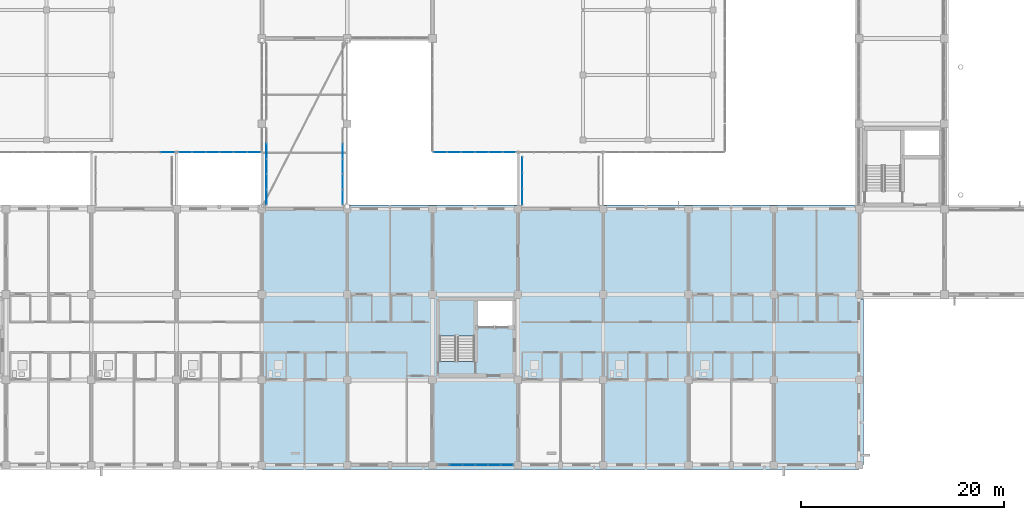
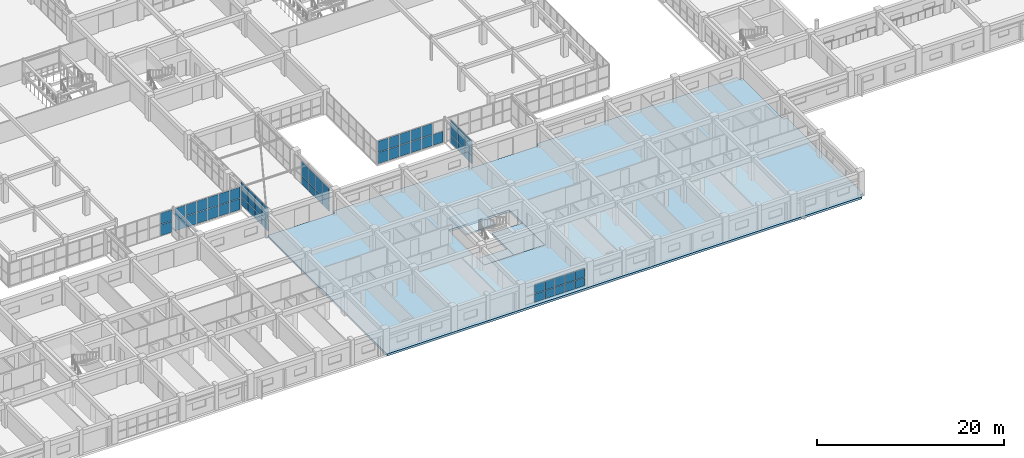
# One storey, part 148 of 200: 57 plates, 4 slabs, 8 elements without a shape of their own.
"""IFC4 building model written with IfcOpenShell, lengths in metres."""

from ifc_helpers import new_model, si_unit, direction, frame, origin, origin_2d, place, context, subcontext, project, spatial, polyline, rectangle, outline, extrude, material, layer, layer_set, type_object, element, aggregate, save


model = new_model("IFC4")

# Units and contexts
model_context = context("Model", 3, precision=1e-05, world=origin(), true_north=direction((0.0, 1.0)))
body_context = subcontext(model_context, "Body", "Model", "MODEL_VIEW")
ifc_project = project(units=[si_unit("LENGTHUNIT", "METRE"), si_unit("AREAUNIT", "SQUARE_METRE"), si_unit("VOLUMEUNIT", "CUBIC_METRE"), si_unit("PLANEANGLEUNIT", "RADIAN"), si_unit("MASSUNIT", "GRAM", prefix="KILO")], contexts=[model_context])

# Site, building, storey
site_placement = place(None, origin())
site = spatial("IfcSite", under=ifc_project, at=site_placement, CompositionType="ELEMENT")
building_placement = place(site_placement, origin())
building = spatial("IfcBuilding", under=site, at=building_placement, Name="Trelvath General Hospital", CompositionType="ELEMENT")
storey_placement = place(building_placement, frame((0.0, 0.0, 4.800048828125)))
storey = spatial("IfcBuildingStorey", under=building, at=storey_placement, Name="L01", CompositionType="ELEMENT", Elevation=4.800048828125)

# Curtain wall, plates
ifc_material_1 = material(Name="Anodised aluminium and low-E glass", Category="aluminium")
ifc_layer_1 = layer(ifc_material_1, 0.14990234375)
ifc_layer_set_1 = layer_set([ifc_layer_1], Name="Anodised aluminium and low-E glass")
curtain_wall_type_1 = type_object("IfcCurtainWallType", Name="CW CrystalCube 583 306 15", PredefinedType="USERDEFINED", material=ifc_layer_set_1)
curtain_wall_1_placement = place(storey_placement, origin())
curtain_wall_1 = element("IfcCurtainWall", 1, at=curtain_wall_1_placement, inside=storey, type_object=curtain_wall_type_1, Name="Crystal Cube Curtain Wall CUBE-W-T0 S4 L01", ObjectType="Unitised Glazed Curtain Wall", PredefinedType="USERDEFINED")
ifc_material_2 = material(Name="Low-E laminated glass", Category="glass")
ifc_layer_2 = layer(ifc_material_2, 0.028076171875)
ifc_layer_set_2 = layer_set([ifc_layer_2], Name="Low-E laminated glass")
plate_type_1 = type_object("IfcPlateType", Name="CurtainPanel Glass28", PredefinedType="CURTAIN_PANEL", material=ifc_layer_set_2)
plate_1_placement = place(storey_placement, frame((66.30615234375, 30.800048828125, 0.06005859375), z_axis=(0.0, 0.0, 1.0), x_axis=(-1.0, 0.0, 0.0)))
plate_1 = element("IfcPlate", 2, at=plate_1_placement, type_object=plate_type_1, Name="CW-131 panel 1.1", PredefinedType="CURTAIN_PANEL", context=body_context, shape_type="SweptSolid", body=[
    extrude(rectangle(XDim=1.367431640625, YDim=0.028076171875, at=origin_2d()), origin(), (0.0, 0.0, 1.0), 1.43994140625),
])
plate_2_placement = place(storey_placement, frame((66.30615234375, 30.800048828125, 1.56005859375), z_axis=(0.0, 0.0, 1.0), x_axis=(-1.0, 0.0, 0.0)))
plate_2 = element("IfcPlate", 3, at=plate_2_placement, type_object=plate_type_1, Name="CW-131 panel 1.2", PredefinedType="CURTAIN_PANEL", context=body_context, shape_type="SweptSolid", body=[
    extrude(rectangle(XDim=1.367431640625, YDim=0.028076171875, at=origin_2d()), origin(), (0.0, 0.0, 1.0), 1.43994140625),
])
aggregate(curtain_wall_1, [plate_1, plate_2])

ifc_material_3 = material(Name="Anodised aluminium and low-E glass", Category="aluminium")
ifc_layer_3 = layer(ifc_material_3, 0.14990234375)
ifc_layer_set_3 = layer_set([ifc_layer_3], Name="Anodised aluminium and low-E glass")
curtain_wall_type_2 = type_object("IfcCurtainWallType", Name="CW CrystalCube 817 306 15", PredefinedType="USERDEFINED", material=ifc_layer_set_3)
curtain_wall_2_placement = place(storey_placement, origin())
curtain_wall_2 = element("IfcCurtainWall", 4, at=curtain_wall_2_placement, inside=storey, type_object=curtain_wall_type_2, Name="Crystal Cube Curtain Wall CUBE-W-T0 S5 L01", ObjectType="Unitised Glazed Curtain Wall", PredefinedType="USERDEFINED")
plate_3_placement = place(storey_placement, frame((74.82421875, 30.800048828125, 0.06005859375), z_axis=(0.0, 0.0, 1.0), x_axis=(-1.0, 0.0, 0.0)))
plate_3 = element("IfcPlate", 5, at=plate_3_placement, type_object=plate_type_1, Name="CW-132 panel 1.1", PredefinedType="CURTAIN_PANEL", context=body_context, shape_type="SweptSolid", body=[
    extrude(rectangle(XDim=1.271728515625, YDim=0.028076171875, at=origin_2d()), origin(), (0.0, 0.0, 1.0), 1.43994140625),
])
plate_4_placement = place(storey_placement, frame((74.82421875, 30.800048828125, 1.56005859375), z_axis=(0.0, 0.0, 1.0), x_axis=(-1.0, 0.0, 0.0)))
plate_4 = element("IfcPlate", 6, at=plate_4_placement, type_object=plate_type_1, Name="CW-132 panel 1.2", PredefinedType="CURTAIN_PANEL", context=body_context, shape_type="SweptSolid", body=[
    extrude(rectangle(XDim=1.271728515625, YDim=0.028076171875, at=origin_2d()), origin(), (0.0, 0.0, 1.0), 1.43994140625),
])
plate_5_placement = place(storey_placement, frame((73.4775390625, 30.800048828125, 0.06005859375), z_axis=(0.0, 0.0, 1.0), x_axis=(-1.0, 0.0, 0.0)))
plate_5 = element("IfcPlate", 7, at=plate_5_placement, type_object=plate_type_1, Name="CW-132 panel 2.1", PredefinedType="CURTAIN_PANEL", context=body_context, shape_type="SweptSolid", body=[
    extrude(rectangle(XDim=1.3017578125, YDim=0.028076171875, at=origin_2d()), origin(), (0.0, 0.0, 1.0), 1.43994140625),
])
plate_6_placement = place(storey_placement, frame((73.4775390625, 30.800048828125, 1.56005859375), z_axis=(0.0, 0.0, 1.0), x_axis=(-1.0, 0.0, 0.0)))
plate_6 = element("IfcPlate", 8, at=plate_6_placement, type_object=plate_type_1, Name="CW-132 panel 2.2", PredefinedType="CURTAIN_PANEL", context=body_context, shape_type="SweptSolid", body=[
    extrude(rectangle(XDim=1.3017578125, YDim=0.028076171875, at=origin_2d()), origin(), (0.0, 0.0, 1.0), 1.43994140625),
])
plate_7_placement = place(storey_placement, frame((72.11572265625, 30.800048828125, 0.06005859375), z_axis=(0.0, 0.0, 1.0), x_axis=(-1.0, 0.0, 0.0)))
plate_7 = element("IfcPlate", 9, at=plate_7_placement, type_object=plate_type_1, Name="CW-132 panel 3.1", PredefinedType="CURTAIN_PANEL", context=body_context, shape_type="SweptSolid", body=[
    extrude(rectangle(XDim=1.3017578125, YDim=0.028076171875, at=origin_2d()), origin(), (0.0, 0.0, 1.0), 1.43994140625),
])
plate_8_placement = place(storey_placement, frame((72.11572265625, 30.800048828125, 1.56005859375), z_axis=(0.0, 0.0, 1.0), x_axis=(-1.0, 0.0, 0.0)))
plate_8 = element("IfcPlate", 10, at=plate_8_placement, type_object=plate_type_1, Name="CW-132 panel 3.2", PredefinedType="CURTAIN_PANEL", context=body_context, shape_type="SweptSolid", body=[
    extrude(rectangle(XDim=1.3017578125, YDim=0.028076171875, at=origin_2d()), origin(), (0.0, 0.0, 1.0), 1.43994140625),
])
plate_9_placement = place(storey_placement, frame((70.754150390625, 30.800048828125, 0.06005859375), z_axis=(0.0, 0.0, 1.0), x_axis=(-1.0, 0.0, 0.0)))
plate_9 = element("IfcPlate", 11, at=plate_9_placement, type_object=plate_type_1, Name="CW-132 panel 4.1", PredefinedType="CURTAIN_PANEL", context=body_context, shape_type="SweptSolid", body=[
    extrude(rectangle(XDim=1.3017578125, YDim=0.028076171875, at=origin_2d()), origin(), (0.0, 0.0, 1.0), 1.43994140625),
])
plate_10_placement = place(storey_placement, frame((70.754150390625, 30.800048828125, 1.56005859375), z_axis=(0.0, 0.0, 1.0), x_axis=(-1.0, 0.0, 0.0)))
plate_10 = element("IfcPlate", 12, at=plate_10_placement, type_object=plate_type_1, Name="CW-132 panel 4.2", PredefinedType="CURTAIN_PANEL", context=body_context, shape_type="SweptSolid", body=[
    extrude(rectangle(XDim=1.3017578125, YDim=0.028076171875, at=origin_2d()), origin(), (0.0, 0.0, 1.0), 1.43994140625),
])
plate_11_placement = place(storey_placement, frame((69.392578125, 30.800048828125, 0.06005859375), z_axis=(0.0, 0.0, 1.0), x_axis=(-1.0, 0.0, 0.0)))
plate_11 = element("IfcPlate", 13, at=plate_11_placement, type_object=plate_type_1, Name="CW-132 panel 5.1", PredefinedType="CURTAIN_PANEL", context=body_context, shape_type="SweptSolid", body=[
    extrude(rectangle(XDim=1.3017578125, YDim=0.028076171875, at=origin_2d()), origin(), (0.0, 0.0, 1.0), 1.43994140625),
])
plate_12_placement = place(storey_placement, frame((69.392578125, 30.800048828125, 1.56005859375), z_axis=(0.0, 0.0, 1.0), x_axis=(-1.0, 0.0, 0.0)))
plate_12 = element("IfcPlate", 14, at=plate_12_placement, type_object=plate_type_1, Name="CW-132 panel 5.2", PredefinedType="CURTAIN_PANEL", context=body_context, shape_type="SweptSolid", body=[
    extrude(rectangle(XDim=1.3017578125, YDim=0.028076171875, at=origin_2d()), origin(), (0.0, 0.0, 1.0), 1.43994140625),
])
plate_13_placement = place(storey_placement, frame((68.0458984375, 30.800048828125, 0.06005859375), z_axis=(0.0, 0.0, 1.0), x_axis=(-1.0, 0.0, 0.0)))
plate_13 = element("IfcPlate", 15, at=plate_13_placement, type_object=plate_type_1, Name="CW-132 panel 6.1", PredefinedType="CURTAIN_PANEL", context=body_context, shape_type="SweptSolid", body=[
    extrude(rectangle(XDim=1.271728515625, YDim=0.028076171875, at=origin_2d()), origin(), (0.0, 0.0, 1.0), 1.43994140625),
])
plate_14_placement = place(storey_placement, frame((68.0458984375, 30.800048828125, 1.56005859375), z_axis=(0.0, 0.0, 1.0), x_axis=(-1.0, 0.0, 0.0)))
plate_14 = element("IfcPlate", 16, at=plate_14_placement, type_object=plate_type_1, Name="CW-132 panel 6.2", PredefinedType="CURTAIN_PANEL", context=body_context, shape_type="SweptSolid", body=[
    extrude(rectangle(XDim=1.271728515625, YDim=0.028076171875, at=origin_2d()), origin(), (0.0, 0.0, 1.0), 1.43994140625),
])
aggregate(curtain_wall_2, [plate_3, plate_4, plate_5, plate_6, plate_7, plate_8, plate_9, plate_10, plate_11, plate_12, plate_13, plate_14])

curtain_wall_3_placement = place(storey_placement, origin())
curtain_wall_3 = element("IfcCurtainWall", 17, at=curtain_wall_3_placement, inside=storey, type_object=curtain_wall_type_2, Name="Crystal Cube Curtain Wall CUBE-E-T0 S1 L01", ObjectType="Unitised Glazed Curtain Wall", PredefinedType="USERDEFINED")
plate_15_placement = place(storey_placement, frame((99.9541015625, 30.800048828125, 0.06005859375), z_axis=(0.0, 0.0, 1.0), x_axis=(-1.0, 0.0, 0.0)))
plate_15 = element("IfcPlate", 18, at=plate_15_placement, type_object=plate_type_1, Name="CW-150 panel 1.1", PredefinedType="CURTAIN_PANEL", context=body_context, shape_type="SweptSolid", body=[
    extrude(rectangle(XDim=1.271728515625, YDim=0.028076171875, at=origin_2d()), origin(), (0.0, 0.0, 1.0), 1.43994140625),
])
plate_16_placement = place(storey_placement, frame((98.607421875, 30.800048828125, 0.06005859375), z_axis=(0.0, 0.0, 1.0), x_axis=(-1.0, 0.0, 0.0)))
plate_16 = element("IfcPlate", 19, at=plate_16_placement, type_object=plate_type_1, Name="CW-150 panel 2.1", PredefinedType="CURTAIN_PANEL", context=body_context, shape_type="SweptSolid", body=[
    extrude(rectangle(XDim=1.3017578125, YDim=0.028076171875, at=origin_2d()), origin(), (0.0, 0.0, 1.0), 1.43994140625),
])
plate_17_placement = place(storey_placement, frame((98.607421875, 30.800048828125, 1.56005859375), z_axis=(0.0, 0.0, 1.0), x_axis=(-1.0, 0.0, 0.0)))
plate_17 = element("IfcPlate", 20, at=plate_17_placement, type_object=plate_type_1, Name="CW-150 panel 2.2", PredefinedType="CURTAIN_PANEL", context=body_context, shape_type="SweptSolid", body=[
    extrude(rectangle(XDim=1.3017578125, YDim=0.028076171875, at=origin_2d()), origin(), (0.0, 0.0, 1.0), 1.43994140625),
])
plate_18_placement = place(storey_placement, frame((97.245849609375, 30.800048828125, 0.06005859375), z_axis=(0.0, 0.0, 1.0), x_axis=(-1.0, 0.0, 0.0)))
plate_18 = element("IfcPlate", 21, at=plate_18_placement, type_object=plate_type_1, Name="CW-150 panel 3.1", PredefinedType="CURTAIN_PANEL", context=body_context, shape_type="SweptSolid", body=[
    extrude(rectangle(XDim=1.3017578125, YDim=0.028076171875, at=origin_2d()), origin(), (0.0, 0.0, 1.0), 1.43994140625),
])
plate_19_placement = place(storey_placement, frame((97.245849609375, 30.800048828125, 1.56005859375), z_axis=(0.0, 0.0, 1.0), x_axis=(-1.0, 0.0, 0.0)))
plate_19 = element("IfcPlate", 22, at=plate_19_placement, type_object=plate_type_1, Name="CW-150 panel 3.2", PredefinedType="CURTAIN_PANEL", context=body_context, shape_type="SweptSolid", body=[
    extrude(rectangle(XDim=1.3017578125, YDim=0.028076171875, at=origin_2d()), origin(), (0.0, 0.0, 1.0), 1.43994140625),
])
plate_20_placement = place(storey_placement, frame((95.88427734375, 30.800048828125, 0.06005859375), z_axis=(0.0, 0.0, 1.0), x_axis=(-1.0, 0.0, 0.0)))
plate_20 = element("IfcPlate", 23, at=plate_20_placement, type_object=plate_type_1, Name="CW-150 panel 4.1", PredefinedType="CURTAIN_PANEL", context=body_context, shape_type="SweptSolid", body=[
    extrude(rectangle(XDim=1.3017578125, YDim=0.028076171875, at=origin_2d()), origin(), (0.0, 0.0, 1.0), 1.43994140625),
])
plate_21_placement = place(storey_placement, frame((95.88427734375, 30.800048828125, 1.56005859375), z_axis=(0.0, 0.0, 1.0), x_axis=(-1.0, 0.0, 0.0)))
plate_21 = element("IfcPlate", 24, at=plate_21_placement, type_object=plate_type_1, Name="CW-150 panel 4.2", PredefinedType="CURTAIN_PANEL", context=body_context, shape_type="SweptSolid", body=[
    extrude(rectangle(XDim=1.3017578125, YDim=0.028076171875, at=origin_2d()), origin(), (0.0, 0.0, 1.0), 1.43994140625),
])
plate_22_placement = place(storey_placement, frame((94.5224609375, 30.800048828125, 0.06005859375), z_axis=(0.0, 0.0, 1.0), x_axis=(-1.0, 0.0, 0.0)))
plate_22 = element("IfcPlate", 25, at=plate_22_placement, type_object=plate_type_1, Name="CW-150 panel 5.1", PredefinedType="CURTAIN_PANEL", context=body_context, shape_type="SweptSolid", body=[
    extrude(rectangle(XDim=1.3017578125, YDim=0.028076171875, at=origin_2d()), origin(), (0.0, 0.0, 1.0), 1.43994140625),
])
plate_23_placement = place(storey_placement, frame((94.5224609375, 30.800048828125, 1.56005859375), z_axis=(0.0, 0.0, 1.0), x_axis=(-1.0, 0.0, 0.0)))
plate_23 = element("IfcPlate", 26, at=plate_23_placement, type_object=plate_type_1, Name="CW-150 panel 5.2", PredefinedType="CURTAIN_PANEL", context=body_context, shape_type="SweptSolid", body=[
    extrude(rectangle(XDim=1.3017578125, YDim=0.028076171875, at=origin_2d()), origin(), (0.0, 0.0, 1.0), 1.43994140625),
])
plate_24_placement = place(storey_placement, frame((93.17578125, 30.800048828125, 0.06005859375), z_axis=(0.0, 0.0, 1.0), x_axis=(-1.0, 0.0, 0.0)))
plate_24 = element("IfcPlate", 27, at=plate_24_placement, type_object=plate_type_1, Name="CW-150 panel 6.1", PredefinedType="CURTAIN_PANEL", context=body_context, shape_type="SweptSolid", body=[
    extrude(rectangle(XDim=1.271728515625, YDim=0.028076171875, at=origin_2d()), origin(), (0.0, 0.0, 1.0), 1.43994140625),
])
plate_25_placement = place(storey_placement, frame((93.17578125, 30.800048828125, 1.56005859375), z_axis=(0.0, 0.0, 1.0), x_axis=(-1.0, 0.0, 0.0)))
plate_25 = element("IfcPlate", 28, at=plate_25_placement, type_object=plate_type_1, Name="CW-150 panel 6.2", PredefinedType="CURTAIN_PANEL", context=body_context, shape_type="SweptSolid", body=[
    extrude(rectangle(XDim=1.271728515625, YDim=0.028076171875, at=origin_2d()), origin(), (0.0, 0.0, 1.0), 1.43994140625),
])
aggregate(curtain_wall_3, [plate_15, plate_16, plate_17, plate_18, plate_19, plate_20, plate_21, plate_22, plate_23, plate_24, plate_25])

ifc_material_4 = material(Name="Anodised aluminium and low-E glass", Category="aluminium")
ifc_layer_4 = layer(ifc_material_4, 0.139892578125)
ifc_layer_set_4 = layer_set([ifc_layer_4], Name="Anodised aluminium and low-E glass")
curtain_wall_type_3 = type_object("IfcCurtainWallType", Name="CW Bridge 752 311", PredefinedType="USERDEFINED", material=ifc_layer_set_4)
curtain_wall_4_placement = place(storey_placement, origin())
curtain_wall_4 = element("IfcCurtainWall", 29, at=curtain_wall_4_placement, inside=storey, type_object=curtain_wall_type_3, Name="Glazed Bridge Curtain Wall BRG-S-C W L01", ObjectType="Unitised Glazed Curtain Wall", PredefinedType="USERDEFINED")
plate_26_placement = place(storey_placement, frame((76.0400390625, 26.406982421875, 0.06005859375), z_axis=(0.0, 0.0, 1.0), x_axis=(0.0, 1.0, 0.0)))
plate_26 = element("IfcPlate", 30, at=plate_26_placement, type_object=plate_type_1, Name="CW-178 panel 1.1", PredefinedType="CURTAIN_PANEL", context=body_context, shape_type="SweptSolid", body=[
    extrude(rectangle(XDim=1.4140625, YDim=0.028076171875, at=origin_2d()), origin(), (0.0, 0.0, 1.0), 1.010009765625),
])
plate_27_placement = place(storey_placement, frame((76.0400390625, 26.406982421875, 1.1298828125), z_axis=(0.0, 0.0, 1.0), x_axis=(0.0, 1.0, 0.0)))
plate_27 = element("IfcPlate", 31, at=plate_27_placement, type_object=plate_type_1, Name="CW-178 panel 1.2", PredefinedType="CURTAIN_PANEL", context=body_context, shape_type="SweptSolid", body=[
    extrude(rectangle(XDim=1.4140625, YDim=0.028076171875, at=origin_2d()), origin(), (0.0, 0.0, 1.0), 1.919921875),
])
plate_28_placement = place(storey_placement, frame((76.0400390625, 27.89599609375, 0.06005859375), z_axis=(0.0, 0.0, 1.0), x_axis=(0.0, 1.0, 0.0)))
plate_28 = element("IfcPlate", 32, at=plate_28_placement, type_object=plate_type_1, Name="CW-178 panel 2.1", PredefinedType="CURTAIN_PANEL", context=body_context, shape_type="SweptSolid", body=[
    extrude(rectangle(XDim=1.444091796875, YDim=0.028076171875, at=origin_2d()), origin(), (0.0, 0.0, 1.0), 1.010009765625),
])
plate_29_placement = place(storey_placement, frame((76.0400390625, 27.89599609375, 1.1298828125), z_axis=(0.0, 0.0, 1.0), x_axis=(0.0, 1.0, 0.0)))
plate_29 = element("IfcPlate", 33, at=plate_29_placement, type_object=plate_type_1, Name="CW-178 panel 2.2", PredefinedType="CURTAIN_PANEL", context=body_context, shape_type="SweptSolid", body=[
    extrude(rectangle(XDim=1.444091796875, YDim=0.028076171875, at=origin_2d()), origin(), (0.0, 0.0, 1.0), 1.919921875),
])
plate_30_placement = place(storey_placement, frame((76.0400390625, 29.39990234375, 0.06005859375), z_axis=(0.0, 0.0, 1.0), x_axis=(0.0, 1.0, 0.0)))
plate_30 = element("IfcPlate", 34, at=plate_30_placement, type_object=plate_type_1, Name="CW-178 panel 3.1", PredefinedType="CURTAIN_PANEL", context=body_context, shape_type="SweptSolid", body=[
    extrude(rectangle(XDim=1.444091796875, YDim=0.028076171875, at=origin_2d()), origin(), (0.0, 0.0, 1.0), 1.010009765625),
])
plate_31_placement = place(storey_placement, frame((76.0400390625, 29.39990234375, 1.1298828125), z_axis=(0.0, 0.0, 1.0), x_axis=(0.0, 1.0, 0.0)))
plate_31 = element("IfcPlate", 35, at=plate_31_placement, type_object=plate_type_1, Name="CW-178 panel 3.2", PredefinedType="CURTAIN_PANEL", context=body_context, shape_type="SweptSolid", body=[
    extrude(rectangle(XDim=1.444091796875, YDim=0.028076171875, at=origin_2d()), origin(), (0.0, 0.0, 1.0), 1.919921875),
])
plate_32_placement = place(storey_placement, frame((76.0400390625, 30.904052734375, 0.06005859375), z_axis=(0.0, 0.0, 1.0), x_axis=(0.0, 1.0, 0.0)))
plate_32 = element("IfcPlate", 36, at=plate_32_placement, type_object=plate_type_1, Name="CW-178 panel 4.1", PredefinedType="CURTAIN_PANEL", context=body_context, shape_type="SweptSolid", body=[
    extrude(rectangle(XDim=1.444091796875, YDim=0.028076171875, at=origin_2d()), origin(), (0.0, 0.0, 1.0), 1.010009765625),
])
plate_33_placement = place(storey_placement, frame((76.0400390625, 30.904052734375, 1.1298828125), z_axis=(0.0, 0.0, 1.0), x_axis=(0.0, 1.0, 0.0)))
plate_33 = element("IfcPlate", 37, at=plate_33_placement, type_object=plate_type_1, Name="CW-178 panel 4.2", PredefinedType="CURTAIN_PANEL", context=body_context, shape_type="SweptSolid", body=[
    extrude(rectangle(XDim=1.444091796875, YDim=0.028076171875, at=origin_2d()), origin(), (0.0, 0.0, 1.0), 1.919921875),
])
aggregate(curtain_wall_4, [plate_26, plate_27, plate_28, plate_29, plate_30, plate_31, plate_32, plate_33])

curtain_wall_5_placement = place(storey_placement, origin())
curtain_wall_5 = element("IfcCurtainWall", 38, at=curtain_wall_5_placement, inside=storey, type_object=curtain_wall_type_3, Name="Glazed Bridge Curtain Wall BRG-S-C E L01", ObjectType="Unitised Glazed Curtain Wall", PredefinedType="USERDEFINED")
plate_34_placement = place(storey_placement, frame((83.56005859375, 30.904052734375, 0.06005859375), z_axis=(0.0, 0.0, 1.0), x_axis=(0.0, -1.0, 0.0)))
plate_34 = element("IfcPlate", 39, at=plate_34_placement, type_object=plate_type_1, Name="CW-179 panel 2.1", PredefinedType="CURTAIN_PANEL", context=body_context, shape_type="SweptSolid", body=[
    extrude(rectangle(XDim=1.444091796875, YDim=0.028076171875, at=origin_2d()), origin(), (0.0, 0.0, 1.0), 1.010009765625),
])
plate_35_placement = place(storey_placement, frame((83.56005859375, 30.904052734375, 1.1298828125), z_axis=(0.0, 0.0, 1.0), x_axis=(0.0, -1.0, 0.0)))
plate_35 = element("IfcPlate", 40, at=plate_35_placement, type_object=plate_type_1, Name="CW-179 panel 2.2", PredefinedType="CURTAIN_PANEL", context=body_context, shape_type="SweptSolid", body=[
    extrude(rectangle(XDim=1.444091796875, YDim=0.028076171875, at=origin_2d()), origin(), (0.0, 0.0, 1.0), 1.919921875),
])
plate_36_placement = place(storey_placement, frame((83.56005859375, 29.39990234375, 0.06005859375), z_axis=(0.0, 0.0, 1.0), x_axis=(0.0, -1.0, 0.0)))
plate_36 = element("IfcPlate", 41, at=plate_36_placement, type_object=plate_type_1, Name="CW-179 panel 3.1", PredefinedType="CURTAIN_PANEL", context=body_context, shape_type="SweptSolid", body=[
    extrude(rectangle(XDim=1.444091796875, YDim=0.028076171875, at=origin_2d()), origin(), (0.0, 0.0, 1.0), 1.010009765625),
])
plate_37_placement = place(storey_placement, frame((83.56005859375, 29.39990234375, 1.1298828125), z_axis=(0.0, 0.0, 1.0), x_axis=(0.0, -1.0, 0.0)))
plate_37 = element("IfcPlate", 42, at=plate_37_placement, type_object=plate_type_1, Name="CW-179 panel 3.2", PredefinedType="CURTAIN_PANEL", context=body_context, shape_type="SweptSolid", body=[
    extrude(rectangle(XDim=1.444091796875, YDim=0.028076171875, at=origin_2d()), origin(), (0.0, 0.0, 1.0), 1.919921875),
])
plate_38_placement = place(storey_placement, frame((83.56005859375, 27.89599609375, 0.06005859375), z_axis=(0.0, 0.0, 1.0), x_axis=(0.0, -1.0, 0.0)))
plate_38 = element("IfcPlate", 43, at=plate_38_placement, type_object=plate_type_1, Name="CW-179 panel 4.1", PredefinedType="CURTAIN_PANEL", context=body_context, shape_type="SweptSolid", body=[
    extrude(rectangle(XDim=1.444091796875, YDim=0.028076171875, at=origin_2d()), origin(), (0.0, 0.0, 1.0), 1.010009765625),
])
plate_39_placement = place(storey_placement, frame((83.56005859375, 27.89599609375, 1.1298828125), z_axis=(0.0, 0.0, 1.0), x_axis=(0.0, -1.0, 0.0)))
plate_39 = element("IfcPlate", 44, at=plate_39_placement, type_object=plate_type_1, Name="CW-179 panel 4.2", PredefinedType="CURTAIN_PANEL", context=body_context, shape_type="SweptSolid", body=[
    extrude(rectangle(XDim=1.444091796875, YDim=0.028076171875, at=origin_2d()), origin(), (0.0, 0.0, 1.0), 1.919921875),
])
plate_40_placement = place(storey_placement, frame((83.56005859375, 26.406982421875, 0.06005859375), z_axis=(0.0, 0.0, 1.0), x_axis=(0.0, -1.0, 0.0)))
plate_40 = element("IfcPlate", 45, at=plate_40_placement, type_object=plate_type_1, Name="CW-179 panel 5.1", PredefinedType="CURTAIN_PANEL", context=body_context, shape_type="SweptSolid", body=[
    extrude(rectangle(XDim=1.4140625, YDim=0.028076171875, at=origin_2d()), origin(), (0.0, 0.0, 1.0), 1.010009765625),
])
plate_41_placement = place(storey_placement, frame((83.56005859375, 26.406982421875, 1.1298828125), z_axis=(0.0, 0.0, 1.0), x_axis=(0.0, -1.0, 0.0)))
plate_41 = element("IfcPlate", 46, at=plate_41_placement, type_object=plate_type_1, Name="CW-179 panel 5.2", PredefinedType="CURTAIN_PANEL", context=body_context, shape_type="SweptSolid", body=[
    extrude(rectangle(XDim=1.4140625, YDim=0.028076171875, at=origin_2d()), origin(), (0.0, 0.0, 1.0), 1.919921875),
])
aggregate(curtain_wall_5, [plate_34, plate_35, plate_36, plate_37, plate_38, plate_39, plate_40, plate_41])

ifc_material_5 = material(Name="Anodised aluminium and low-E glass", Category="aluminium")
ifc_layer_5 = layer(ifc_material_5, 0.139892578125)
ifc_layer_set_5 = layer_set([ifc_layer_5], Name="Anodised aluminium and low-E glass")
curtain_wall_type_4 = type_object("IfcCurtainWallType", Name="CW Bridge 472 311", PredefinedType="USERDEFINED", material=ifc_layer_set_5)
curtain_wall_6_placement = place(storey_placement, origin())
curtain_wall_6 = element("IfcCurtainWall", 47, at=curtain_wall_6_placement, inside=storey, type_object=curtain_wall_type_4, Name="Glazed Bridge Curtain Wall BRG-S-E W L01", ObjectType="Unitised Glazed Curtain Wall", PredefinedType="USERDEFINED")
plate_42_placement = place(storey_placement, frame((101.239990234375, 26.441650390625, 0.06005859375), z_axis=(0.0, 0.0, 1.0), x_axis=(0.0, 1.0, 0.0)))
plate_42 = element("IfcPlate", 48, at=plate_42_placement, type_object=plate_type_1, Name="CW-188 panel 1.1", PredefinedType="CURTAIN_PANEL", context=body_context, shape_type="SweptSolid", body=[
    extrude(rectangle(XDim=1.4833984375, YDim=0.028076171875, at=origin_2d()), origin(), (0.0, 0.0, 1.0), 1.010009765625),
])
plate_43_placement = place(storey_placement, frame((101.239990234375, 26.441650390625, 1.1298828125), z_axis=(0.0, 0.0, 1.0), x_axis=(0.0, 1.0, 0.0)))
plate_43 = element("IfcPlate", 49, at=plate_43_placement, type_object=plate_type_1, Name="CW-188 panel 1.2", PredefinedType="CURTAIN_PANEL", context=body_context, shape_type="SweptSolid", body=[
    extrude(rectangle(XDim=1.4833984375, YDim=0.028076171875, at=origin_2d()), origin(), (0.0, 0.0, 1.0), 1.919921875),
])
plate_44_placement = place(storey_placement, frame((101.239990234375, 28.0, 0.06005859375), z_axis=(0.0, 0.0, 1.0), x_axis=(0.0, 1.0, 0.0)))
plate_44 = element("IfcPlate", 50, at=plate_44_placement, type_object=plate_type_1, Name="CW-188 panel 2.1", PredefinedType="CURTAIN_PANEL", context=body_context, shape_type="SweptSolid", body=[
    extrude(rectangle(XDim=1.513427734375, YDim=0.028076171875, at=origin_2d()), origin(), (0.0, 0.0, 1.0), 1.010009765625),
])
plate_45_placement = place(storey_placement, frame((101.239990234375, 28.0, 1.1298828125), z_axis=(0.0, 0.0, 1.0), x_axis=(0.0, 1.0, 0.0)))
plate_45 = element("IfcPlate", 51, at=plate_45_placement, type_object=plate_type_1, Name="CW-188 panel 2.2", PredefinedType="CURTAIN_PANEL", context=body_context, shape_type="SweptSolid", body=[
    extrude(rectangle(XDim=1.513427734375, YDim=0.028076171875, at=origin_2d()), origin(), (0.0, 0.0, 1.0), 1.919921875),
])
plate_46_placement = place(storey_placement, frame((101.239990234375, 29.558349609375, 0.06005859375), z_axis=(0.0, 0.0, 1.0), x_axis=(0.0, 1.0, 0.0)))
plate_46 = element("IfcPlate", 52, at=plate_46_placement, type_object=plate_type_1, Name="CW-188 panel 3.1", PredefinedType="CURTAIN_PANEL", context=body_context, shape_type="SweptSolid", body=[
    extrude(rectangle(XDim=1.4833984375, YDim=0.028076171875, at=origin_2d()), origin(), (0.0, 0.0, 1.0), 1.010009765625),
])
plate_47_placement = place(storey_placement, frame((101.239990234375, 29.558349609375, 1.1298828125), z_axis=(0.0, 0.0, 1.0), x_axis=(0.0, 1.0, 0.0)))
plate_47 = element("IfcPlate", 53, at=plate_47_placement, type_object=plate_type_1, Name="CW-188 panel 3.2", PredefinedType="CURTAIN_PANEL", context=body_context, shape_type="SweptSolid", body=[
    extrude(rectangle(XDim=1.4833984375, YDim=0.028076171875, at=origin_2d()), origin(), (0.0, 0.0, 1.0), 1.919921875),
])
aggregate(curtain_wall_6, [plate_42, plate_43, plate_44, plate_45, plate_46, plate_47])

ifc_material_6 = material(Name="Anodised aluminium and low-E glass", Category="aluminium")
ifc_layer_6 = layer(ifc_material_6, 0.159912109375)
ifc_layer_set_6 = layer_set([ifc_layer_6], Name="Anodised aluminium and low-E glass")
curtain_wall_type_5 = type_object("IfcCurtainWallType", Name="CW Facade 754 242 16", PredefinedType="USERDEFINED", material=ifc_layer_set_6)
curtain_wall_7_placement = place(storey_placement, origin())
curtain_wall_7 = element("IfcCurtainWall", 54, at=curtain_wall_7_placement, inside=storey, type_object=curtain_wall_type_5, Name="Facade Curtain Wall CW-018", ObjectType="Unitised Glazed Curtain Wall", PredefinedType="USERDEFINED")
ifc_material_7 = material(Name="Insulated aluminium spandrel", Category="aluminium")
ifc_layer_7 = layer(ifc_material_7, 0.0439453125)
ifc_layer_set_7 = layer_set([ifc_layer_7], Name="Insulated aluminium spandrel")
plate_type_2 = type_object("IfcPlateType", Name="CurtainPanel Spandrel44", PredefinedType="CURTAIN_PANEL", material=ifc_layer_set_7)
plate_48_placement = place(storey_placement, frame((99.7265625, 0.0, 0.06005859375), z_axis=(0.0, 0.0, 1.0), x_axis=(-1.0, 0.0, 0.0)))
plate_48 = element("IfcPlate", 55, at=plate_48_placement, type_object=plate_type_2, Name="CW-018 panel 1.1", PredefinedType="CURTAIN_PANEL", context=body_context, shape_type="SweptSolid", body=[
    extrude(rectangle(XDim=1.166748046875, YDim=0.0439453125, at=origin_2d()), origin(), (0.0, 0.0, 1.0), 1.072021484375),
])
plate_49_placement = place(storey_placement, frame((99.7265625, 0.0, 1.19189453125), z_axis=(0.0, 0.0, 1.0), x_axis=(-1.0, 0.0, 0.0)))
plate_49 = element("IfcPlate", 56, at=plate_49_placement, type_object=plate_type_2, Name="CW-018 panel 1.2", PredefinedType="CURTAIN_PANEL", context=body_context, shape_type="SweptSolid", body=[
    extrude(rectangle(XDim=1.166748046875, YDim=0.0439453125, at=origin_2d()), origin(), (0.0, 0.0, 1.0), 1.16796875),
])
plate_50_placement = place(storey_placement, frame((98.485107421875, 0.0, 0.06005859375), z_axis=(0.0, 0.0, 1.0), x_axis=(-1.0, 0.0, 0.0)))
plate_50 = element("IfcPlate", 57, at=plate_50_placement, type_object=plate_type_2, Name="CW-018 panel 2.1", PredefinedType="CURTAIN_PANEL", context=body_context, shape_type="SweptSolid", body=[
    extrude(rectangle(XDim=1.19677734375, YDim=0.0439453125, at=origin_2d()), origin(), (0.0, 0.0, 1.0), 1.072021484375),
])
plate_51_placement = place(storey_placement, frame((98.485107421875, 0.0, 1.19189453125), z_axis=(0.0, 0.0, 1.0), x_axis=(-1.0, 0.0, 0.0)))
plate_51 = element("IfcPlate", 58, at=plate_51_placement, type_object=plate_type_2, Name="CW-018 panel 2.2", PredefinedType="CURTAIN_PANEL", context=body_context, shape_type="SweptSolid", body=[
    extrude(rectangle(XDim=1.19677734375, YDim=0.0439453125, at=origin_2d()), origin(), (0.0, 0.0, 1.0), 1.16796875),
])
plate_52_placement = place(storey_placement, frame((97.228271484375, 0.0, 0.06005859375), z_axis=(0.0, 0.0, 1.0), x_axis=(-1.0, 0.0, 0.0)))
plate_52 = element("IfcPlate", 59, at=plate_52_placement, type_object=plate_type_2, Name="CW-018 panel 3.1", PredefinedType="CURTAIN_PANEL", context=body_context, shape_type="SweptSolid", body=[
    extrude(rectangle(XDim=1.19677734375, YDim=0.0439453125, at=origin_2d()), origin(), (0.0, 0.0, 1.0), 1.072021484375),
])
plate_53_placement = place(storey_placement, frame((97.228271484375, 0.0, 1.19189453125), z_axis=(0.0, 0.0, 1.0), x_axis=(-1.0, 0.0, 0.0)))
plate_53 = element("IfcPlate", 60, at=plate_53_placement, type_object=plate_type_2, Name="CW-018 panel 3.2", PredefinedType="CURTAIN_PANEL", context=body_context, shape_type="SweptSolid", body=[
    extrude(rectangle(XDim=1.19677734375, YDim=0.0439453125, at=origin_2d()), origin(), (0.0, 0.0, 1.0), 1.16796875),
])
plate_54_placement = place(storey_placement, frame((95.9716796875, 0.0, 0.06005859375), z_axis=(0.0, 0.0, 1.0), x_axis=(-1.0, 0.0, 0.0)))
plate_54 = element("IfcPlate", 61, at=plate_54_placement, type_object=plate_type_2, Name="CW-018 panel 4.1", PredefinedType="CURTAIN_PANEL", context=body_context, shape_type="SweptSolid", body=[
    extrude(rectangle(XDim=1.19677734375, YDim=0.0439453125, at=origin_2d()), origin(), (0.0, 0.0, 1.0), 1.072021484375),
])
plate_55_placement = place(storey_placement, frame((95.9716796875, 0.0, 1.19189453125), z_axis=(0.0, 0.0, 1.0), x_axis=(-1.0, 0.0, 0.0)))
plate_55 = element("IfcPlate", 62, at=plate_55_placement, type_object=plate_type_2, Name="CW-018 panel 4.2", PredefinedType="CURTAIN_PANEL", context=body_context, shape_type="SweptSolid", body=[
    extrude(rectangle(XDim=1.19677734375, YDim=0.0439453125, at=origin_2d()), origin(), (0.0, 0.0, 1.0), 1.16796875),
])
plate_56_placement = place(storey_placement, frame((94.715087890625, 0.0, 0.06005859375), z_axis=(0.0, 0.0, 1.0), x_axis=(-1.0, 0.0, 0.0)))
plate_56 = element("IfcPlate", 63, at=plate_56_placement, type_object=plate_type_2, Name="CW-018 panel 5.1", PredefinedType="CURTAIN_PANEL", context=body_context, shape_type="SweptSolid", body=[
    extrude(rectangle(XDim=1.19677734375, YDim=0.0439453125, at=origin_2d()), origin(), (0.0, 0.0, 1.0), 1.072021484375),
])
plate_57_placement = place(storey_placement, frame((94.715087890625, 0.0, 1.19189453125), z_axis=(0.0, 0.0, 1.0), x_axis=(-1.0, 0.0, 0.0)))
plate_57 = element("IfcPlate", 64, at=plate_57_placement, type_object=plate_type_2, Name="CW-018 panel 5.2", PredefinedType="CURTAIN_PANEL", context=body_context, shape_type="SweptSolid", body=[
    extrude(rectangle(XDim=1.19677734375, YDim=0.0439453125, at=origin_2d()), origin(), (0.0, 0.0, 1.0), 1.16796875),
])
aggregate(curtain_wall_7, [plate_48, plate_49, plate_50, plate_51, plate_52, plate_53, plate_54, plate_55, plate_56, plate_57])

# Slabs
ifc_material_8 = material(Name="Concrete C35/45", Category="concrete")
ifc_layer_8 = layer(ifc_material_8, 0.280029296875)
ifc_layer_set_8 = layer_set([ifc_layer_8], Name="Concrete C35/45")
slab_type_1 = type_object("IfcSlabType", Name="FlatSlab Clinical280", PredefinedType="FLOOR", material=ifc_layer_set_8)
slab_1_placement = place(storey_placement, frame((0.0, 0.0, -0.280029296875)))
element("IfcSlab", 65, at=slab_1_placement, inside=storey, type_object=slab_type_1, Name="Floor Slab SL-L01-V6-S1", PredefinedType="FLOOR", context=body_context, shape_type="SweptSolid", body=[
    extrude(outline(polyline([(84.0, 25.199951171875), (84.0, 25.6201171875), (100.800048828125, 25.6201171875), (100.800048828125, 25.199951171875), (109.199951171875, 25.199951171875), (109.199951171875, 25.6201171875), (133.9599609375, 25.6201171875), (133.9599609375, 25.199951171875), (134.3798828125, 25.199951171875), (134.3798828125, 16.780029296875), (134.39990234375, 16.780029296875), (134.39990234375, 16.360107421875), (134.820068359375, 16.360107421875), (134.820068359375, 0.0), (134.39990234375, 0.0), (134.39990234375, -0.419921875), (75.6201171875, -0.419921875), (75.6201171875, 25.199951171875), (84.0, 25.199951171875)]), holes=[polyline([(92.949951171875, 8.800048828125), (100.449951171875, 8.800048828125), (100.449951171875, 16.35009765625), (92.949951171875, 16.35009765625), (92.949951171875, 8.800048828125)])]), origin(), (0.0, 0.0, 1.0), 0.280029296875),
])
slab_2_placement = place(storey_placement, frame((0.0, 0.0, -0.280029296875)))
element("IfcSlab", 66, at=slab_2_placement, inside=storey, type_object=slab_type_1, Name="Core Lobby Slab C5 L01", PredefinedType="FLOOR", context=body_context, shape_type="SweptSolid", body=[
    extrude(outline(polyline([(96.64990234375, 8.800048828125), (100.449951171875, 8.800048828125), (100.449951171875, 13.550048828125), (96.64990234375, 13.550048828125), (96.64990234375, 8.800048828125)])), origin(), (0.0, 0.0, 1.0), 0.280029296875),
])
slab_3_placement = place(storey_placement, frame((0.0, 0.0, -0.280029296875)))
element("IfcSlab", 67, at=slab_3_placement, inside=storey, type_object=slab_type_1, Name="Stair Landing Slab C5 L01", PredefinedType="FLOOR", context=body_context, shape_type="SweptSolid", body=[
    extrude(outline(polyline([(92.949951171875, 8.800048828125), (96.64990234375, 8.800048828125), (96.64990234375, 10.199951171875), (92.949951171875, 10.199951171875), (92.949951171875, 8.800048828125)])), origin(), (0.0, 0.0, 1.0), 0.280029296875),
])

# Stair, slab
ifc_material_9 = material(Name="Concrete C35/45", Category="concrete")
stair_type = type_object("IfcStairType", Name="Stair Stretcher330", PredefinedType="TWO_STRAIGHT_RUN_STAIR", material=ifc_material_9)
stair_placement = place(storey_placement, origin())
stair = element("IfcStair", 68, at=stair_placement, inside=storey, type_object=stair_type, Name="Exit Stair ST5 L01", PredefinedType="TWO_STRAIGHT_RUN_STAIR")
ifc_material_10 = material(Name="Concrete C35/45", Category="concrete")
ifc_layer_9 = layer(ifc_material_10, 0.199951171875)
ifc_layer_set_9 = layer_set([ifc_layer_9], Name="Concrete C35/45")
slab_type_2 = type_object("IfcSlabType", Name="StairLanding 200", PredefinedType="LANDING", material=ifc_layer_set_9)
slab_4_placement = place(storey_placement, frame((0.0, 0.0, 1.449951171875)))
slab_4 = element("IfcSlab", 69, at=slab_4_placement, type_object=slab_type_2, Name="ST5-L01 landing 1", PredefinedType="LANDING", context=body_context, shape_type="SweptSolid", body=[
    extrude(outline(polyline([(92.9599609375, 12.719970703125), (96.639892578125, 12.719970703125), (96.639892578125, 16.340087890625), (92.9599609375, 16.340087890625), (92.9599609375, 12.719970703125)])), origin(), (0.0, 0.0, 1.0), 0.199951171875),
])
aggregate(stair, [slab_4])

save(model, "model.ifc")
